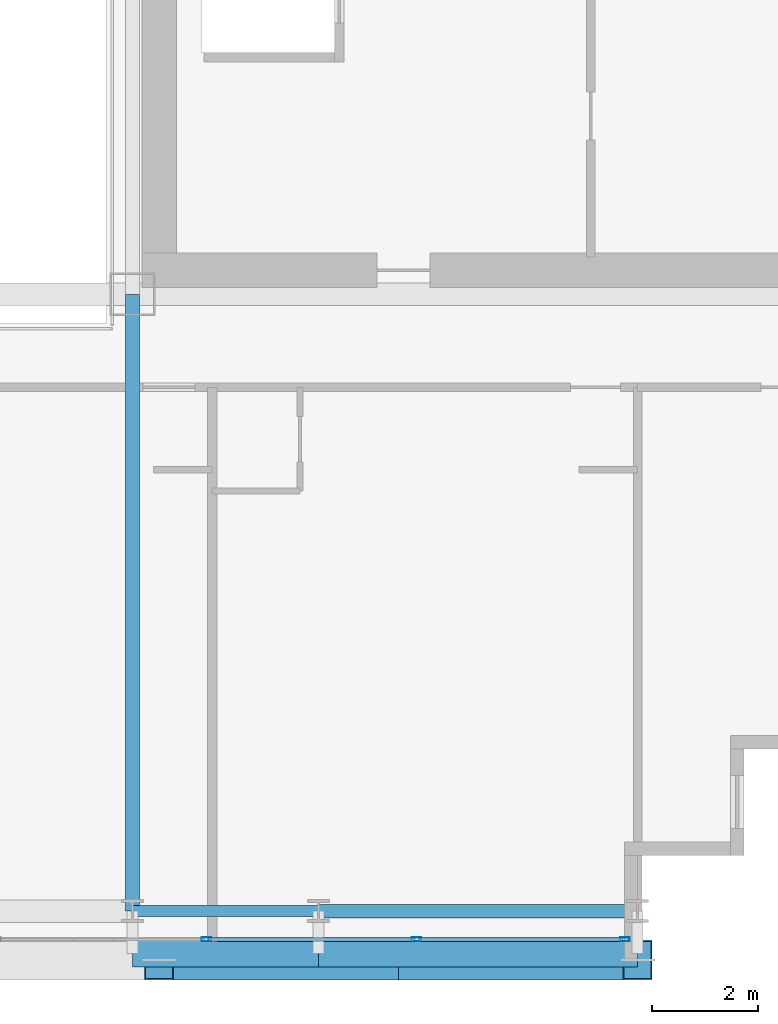
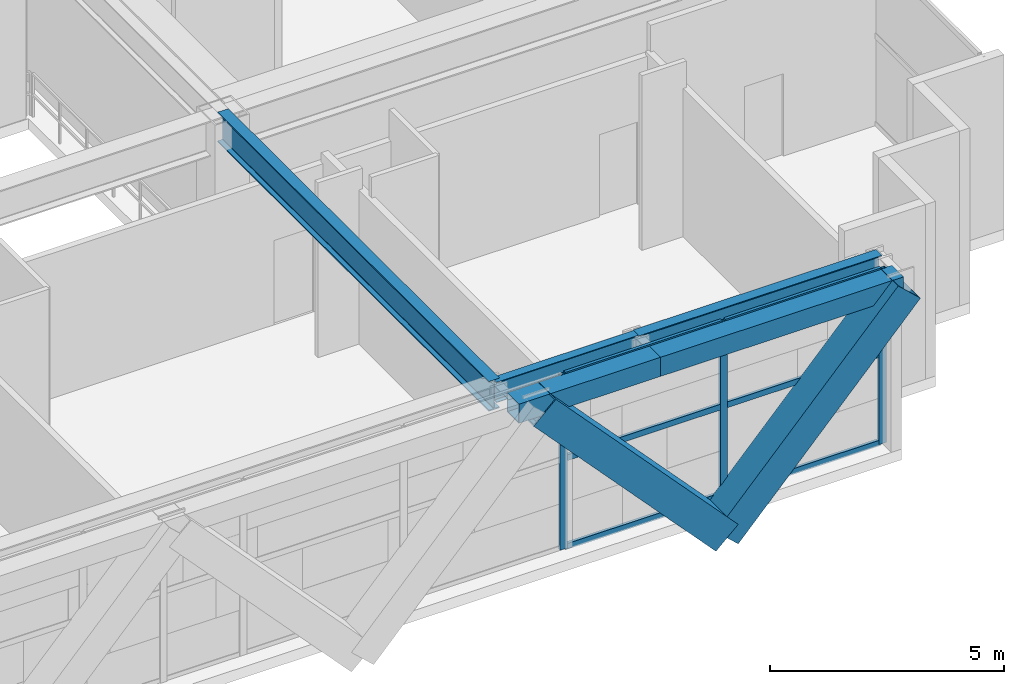
# One storey, part 11 of 38: 11 members, 5 beams, 1 element without a shape of its own.
"""IFC4 building model written with IfcOpenShell, lengths in metres."""

from ifc_helpers import new_model, si_unit, direction, frame, origin, origin_2d, place, context, subcontext, project, spatial, hollow_rectangle, i_section, extrude, source, transform, mapped, material, layer, layer_set, material_profile, profile_set, type_object, element, aggregate, save


model = new_model("IFC4")

# Units and contexts
model_context = context("Model", 3, precision=1e-05, world=origin(), true_north=direction((0.0, 1.0)))
body_context = subcontext(model_context, "Body", "Model", "MODEL_VIEW")
ifc_project = project(units=[si_unit("LENGTHUNIT", "METRE"), si_unit("AREAUNIT", "SQUARE_METRE"), si_unit("VOLUMEUNIT", "CUBIC_METRE"), si_unit("PLANEANGLEUNIT", "RADIAN"), si_unit("MASSUNIT", "GRAM", prefix="KILO")], contexts=[model_context])

# Site, building, storey
site_placement = place(None, origin())
site = spatial("IfcSite", under=ifc_project, at=site_placement, CompositionType="ELEMENT")
building_placement = place(site_placement, origin())
building = spatial("IfcBuilding", under=site, at=building_placement, Name="Ocotamira Hotel", CompositionType="ELEMENT")
storey_placement = place(building_placement, frame((0.0, 0.0, 92.39990234375)))
storey = spatial("IfcBuildingStorey", under=building, at=storey_placement, Name="L22", CompositionType="ELEMENT", Elevation=92.39990234375)

# Beams
ifc_material_1 = material(Name="Steel ASTM A992 Grade 50", Category="steel")
ifc_material_profile_1 = material_profile(ifc_material_1, i_section(OverallWidth=0.256103515625, OverallDepth=0.693115234375, WebThickness=0.014404296875, FlangeThickness=0.023681640625, FilletRadius=0.01611328125, at=origin_2d()), Name="W27X114")
ifc_profile_set_1 = profile_set([ifc_material_profile_1], Name="Steel ASTM A992 Grade 50")
beam_type_1 = type_object("IfcBeamType", Name="BM-PRIM-W27X114", PredefinedType="BEAM", material=ifc_profile_set_1)
shared_shape_1 = source(origin(), body_context, "Body", "SweptSolid", [
    extrude(i_section(OverallWidth=0.256103515625, OverallDepth=0.693115234375, WebThickness=0.014404296875, FlangeThickness=0.023681640625, FilletRadius=0.01611328125, at=origin_2d()), origin(), (0.0, 0.0, 1.0), 6.0),
])
beam_1_placement = place(storey_placement, frame((44.0, 2.949951171875, 4.213623046875), z_axis=(1.0, 0.0, 0.0), x_axis=(0.0, 1.0, 0.0)))
element("IfcBeam", 1, at=beam_1_placement, inside=storey, type_object=beam_type_1, Name="L22 Girder Y2.95 X44-50", PredefinedType="BEAM", context=body_context, shape_type="MappedRepresentation", body=[
    mapped(shared_shape_1, transform((0.0, 0.0, 0.0), scale=1.0)),
])
ifc_material_profile_2 = material_profile(ifc_material_1, i_section(OverallWidth=0.2099609375, OverallDepth=0.537109375, WebThickness=0.010986328125, FlangeThickness=0.017333984375, FilletRadius=0.012939453125, at=origin_2d()), Name="W21X68")
ifc_profile_set_2 = profile_set([ifc_material_profile_2], Name="Steel ASTM A992 Grade 50")
beam_type_2 = type_object("IfcBeamType", Name="BM-SEC-W21X68", PredefinedType="JOIST", material=ifc_profile_set_2)
shared_shape_2 = source(origin(), body_context, "Body", "SweptSolid", [
    extrude(i_section(OverallWidth=0.2099609375, OverallDepth=0.537109375, WebThickness=0.010986328125, FlangeThickness=0.017333984375, FilletRadius=0.012939453125, at=origin_2d()), origin(), (0.0, 0.0, 1.0), 3.5),
])
beam_2_placement = place(storey_placement, frame((40.5, 2.949951171875, 4.29150390625), z_axis=(1.0, 0.0, 0.0), x_axis=(0.0, 1.0, 0.0)))
element("IfcBeam", 2, at=beam_2_placement, inside=storey, type_object=beam_type_2, Name="L22 Girder Y2.95 X40.5-44", PredefinedType="JOIST", context=body_context, shape_type="MappedRepresentation", body=[
    mapped(shared_shape_2, transform((0.0, 0.0, 0.0), scale=1.0)),
])
ifc_material_profile_3 = material_profile(ifc_material_1, i_section(OverallWidth=0.26611328125, OverallDepth=0.779052734375, WebThickness=0.0166015625, FlangeThickness=0.030029296875, FilletRadius=0.01806640625, at=origin_2d()), Name="W30X148")
ifc_profile_set_3 = profile_set([ifc_material_profile_3], Name="Steel ASTM A992 Grade 50")
beam_type_3 = type_object("IfcBeamType", Name="BM-GIRD-W30X148", PredefinedType="BEAM", material=ifc_profile_set_3)
shared_shape_3 = source(origin(), body_context, "Body", "SweptSolid", [
    extrude(i_section(OverallWidth=0.26611328125, OverallDepth=0.779052734375, WebThickness=0.0166015625, FlangeThickness=0.030029296875, FilletRadius=0.01806640625, at=origin_2d()), origin(), (0.0, 0.0, 1.0), 11.60009765625),
])
beam_3_placement = place(storey_placement, frame((40.5, 2.949951171875, 4.170654296875), z_axis=(0.0, 1.0, 0.0), x_axis=(-1.0, 0.0, 0.0)))
element("IfcBeam", 3, at=beam_3_placement, inside=storey, type_object=beam_type_3, Name="L22 Beam X40.5 Y2.95-14.55", PredefinedType="BEAM", context=body_context, shape_type="MappedRepresentation", body=[
    mapped(shared_shape_3, transform((0.0, 0.0, 0.0), scale=1.0)),
])
ifc_material_2 = material(Name="Steel ASTM A500 Grade C", Category="steel")
ifc_material_profile_4 = material_profile(ifc_material_2, hollow_rectangle(XDim=0.5, YDim=0.5, WallThickness=0.02001953125, at=origin_2d()), Name="HSS500X500X20")
ifc_profile_set_4 = profile_set([ifc_material_profile_4], Name="Steel ASTM A500 Grade C")
beam_type_4 = type_object("IfcBeamType", Name="BM-SPAN-HSS500", PredefinedType="USERDEFINED", material=ifc_profile_set_4)
shared_shape_4 = source(origin(), body_context, "Body", "SweptSolid", [
    extrude(hollow_rectangle(XDim=0.5, YDim=0.5, WallThickness=0.02001953125, at=origin_2d()), origin(), (0.0, 0.0, 1.0), 6.0),
])
beam_4_placement = place(storey_placement, frame((44.0, 2.14990234375, 4.31005859375), z_axis=(1.0, 0.0, 0.0), x_axis=(0.0, 1.0, 0.0)))
element("IfcBeam", 4, at=beam_4_placement, inside=storey, type_object=beam_type_4, Name="L22 Edge Spandrel S X44-50", ObjectType="SPANDREL", PredefinedType="USERDEFINED", context=body_context, shape_type="MappedRepresentation", body=[
    mapped(shared_shape_4, transform((0.0, 0.0, 0.0), scale=1.0)),
])
shared_shape_5 = source(origin(), body_context, "Body", "SweptSolid", [
    extrude(hollow_rectangle(XDim=0.5, YDim=0.5, WallThickness=0.02001953125, at=origin_2d()), origin(), (0.0, 0.0, 1.0), 3.5),
])
beam_5_placement = place(storey_placement, frame((40.5, 2.14990234375, 4.31005859375), z_axis=(1.0, 0.0, 0.0), x_axis=(0.0, 1.0, 0.0)))
element("IfcBeam", 5, at=beam_5_placement, inside=storey, type_object=beam_type_4, Name="L22 Edge Spandrel S X40.5-44", ObjectType="SPANDREL", PredefinedType="USERDEFINED", context=body_context, shape_type="MappedRepresentation", body=[
    mapped(shared_shape_5, transform((0.0, 0.0, 0.0), scale=1.0)),
])

# Members
ifc_material_3 = material(Name="Pale-metal coated steel ASTM A913 Grade 65", Category="steel")
ifc_material_profile_5 = material_profile(ifc_material_3, hollow_rectangle(XDim=0.75, YDim=0.75, WallThickness=0.028076171875, at=origin_2d()), Name="BOX750X750X28")
ifc_profile_set_5 = profile_set([ifc_material_profile_5], Name="Pale-metal coated steel ASTM A913 Grade 65")
member_type_1 = type_object("IfcMemberType", Name="MEM-EXO-BOX750", PredefinedType="BRACE", material=ifc_profile_set_5)
shared_shape_6 = source(origin(), body_context, "Body", "SweptSolid", [
    extrude(hollow_rectangle(XDim=0.75, YDim=0.75, WallThickness=0.028076171875, at=origin_2d()), origin(), (0.0, 0.0, 1.0), 6.608642578125),
])
for number, where, z_axis, x_axis, name in (
    (6, (45.5, 2.030029296875, -0.52978515625), (-0.680927060572, 0.0, 0.732351239625), (0.0, -1.0, 0.0), "L22 Exoskeleton Diagrid S3.1"),
    (7, (45.5, 2.030029296875, -0.52978515625), (0.680927060572, 0.0, 0.732351239625), (0.0, 1.0, 0.0), "L22 Exoskeleton Diagrid S3.2"),
):
    element("IfcMember", number, at=place(storey_placement, frame(where, z_axis=z_axis, x_axis=x_axis)), inside=storey, type_object=member_type_1, Name=name, PredefinedType="BRACE", context=body_context, shape_type="MappedRepresentation", body=[
        mapped(shared_shape_6, transform((0.0, 0.0, 0.0), scale=1.0)),
    ])

# Curtain wall, members
ifc_material_4 = material(Name="Anodised pale-metal aluminium and solar glass", Category="aluminium")
ifc_layer = layer(ifc_material_4, 0.239990234375)
ifc_layer_set = layer_set([ifc_layer], Name="Anodised pale-metal aluminium and solar glass")
curtain_wall_type = type_object("IfcCurtainWallType", Name="CW-SYS5-SKY", PredefinedType="NOTDEFINED", material=ifc_layer_set)
curtain_wall_placement = place(storey_placement, origin())
curtain_wall = element("IfcCurtainWall", 8, at=curtain_wall_placement, inside=storey, type_object=curtain_wall_type, Name="L22 Curtain Wall CW-5 CW-L22-S1", PredefinedType="NOTDEFINED")
ifc_material_5 = material(Name="Anodised pale-metal aluminium 6063-T6", Category="aluminium")
ifc_material_profile_6 = material_profile(ifc_material_5, hollow_rectangle(XDim=0.074951171875, YDim=0.14990234375, WallThickness=0.006103515625, at=origin_2d()), Name="HSS150X75X6")
ifc_profile_set_6 = profile_set([ifc_material_profile_6], Name="Anodised pale-metal aluminium 6063-T6")
member_type_2 = type_object("IfcMemberType", Name="CWT-150X75", PredefinedType="USERDEFINED", material=ifc_profile_set_6)
shared_shape_7 = source(origin(), body_context, "Body", "SweptSolid", [
    extrude(hollow_rectangle(XDim=0.074951171875, YDim=0.14990234375, WallThickness=0.006103515625, at=origin_2d()), origin(), (0.0, 0.0, 1.0), 3.83544921875),
])
member_1_placement = place(storey_placement, frame((45.884521484375, 2.419921875, 0.03759765625), z_axis=(1.0, 0.0, 0.0), x_axis=(0.0, 1.0, 0.0)))
member_1 = element("IfcMember", 9, at=member_1_placement, type_object=member_type_2, Name="CW-5 transom 9.1", ObjectType="TRANSOM", PredefinedType="USERDEFINED", context=body_context, shape_type="MappedRepresentation", body=[
    mapped(shared_shape_7, transform((0.0, 0.0, 0.0), scale=1.0)),
])
member_2_placement = place(storey_placement, frame((45.884521484375, 2.419921875, 2.35009765625), z_axis=(1.0, 0.0, 0.0), x_axis=(0.0, 1.0, 0.0)))
member_2 = element("IfcMember", 10, at=member_2_placement, type_object=member_type_2, Name="CW-5 transom 9.2", ObjectType="TRANSOM", PredefinedType="USERDEFINED", context=body_context, shape_type="MappedRepresentation", body=[
    mapped(shared_shape_7, transform((0.0, 0.0, 0.0), scale=1.0)),
])
member_3_placement = place(storey_placement, frame((45.884521484375, 2.419921875, 4.522705078125), z_axis=(1.0, 0.0, 0.0), x_axis=(0.0, 1.0, 0.0)))
member_3 = element("IfcMember", 11, at=member_3_placement, type_object=member_type_2, Name="CW-5 transom 9.3", ObjectType="TRANSOM", PredefinedType="USERDEFINED", context=body_context, shape_type="MappedRepresentation", body=[
    mapped(shared_shape_7, transform((0.0, 0.0, 0.0), scale=1.0)),
])
shared_shape_8 = source(origin(), body_context, "Body", "SweptSolid", [
    extrude(hollow_rectangle(XDim=0.074951171875, YDim=0.14990234375, WallThickness=0.006103515625, at=origin_2d()), origin(), (0.0, 0.0, 1.0), 3.87548828125),
])
member_4_placement = place(storey_placement, frame((41.928955078125, 2.419921875, 0.03759765625), z_axis=(1.0, 0.0, 0.0), x_axis=(0.0, 1.0, 0.0)))
member_4 = element("IfcMember", 12, at=member_4_placement, type_object=member_type_2, Name="CW-5 transom 8.1", ObjectType="TRANSOM", PredefinedType="USERDEFINED", context=body_context, shape_type="MappedRepresentation", body=[
    mapped(shared_shape_8, transform((0.0, 0.0, 0.0), scale=1.0)),
])
member_5_placement = place(storey_placement, frame((41.928955078125, 2.419921875, 2.35009765625), z_axis=(1.0, 0.0, 0.0), x_axis=(0.0, 1.0, 0.0)))
member_5 = element("IfcMember", 13, at=member_5_placement, type_object=member_type_2, Name="CW-5 transom 8.2", ObjectType="TRANSOM", PredefinedType="USERDEFINED", context=body_context, shape_type="MappedRepresentation", body=[
    mapped(shared_shape_8, transform((0.0, 0.0, 0.0), scale=1.0)),
])
member_6_placement = place(storey_placement, frame((41.928955078125, 2.419921875, 4.522705078125), z_axis=(1.0, 0.0, 0.0), x_axis=(0.0, 1.0, 0.0)))
member_6 = element("IfcMember", 14, at=member_6_placement, type_object=member_type_2, Name="CW-5 transom 8.3", ObjectType="TRANSOM", PredefinedType="USERDEFINED", context=body_context, shape_type="MappedRepresentation", body=[
    mapped(shared_shape_8, transform((0.0, 0.0, 0.0), scale=1.0)),
])
ifc_material_profile_7 = material_profile(ifc_material_5, hollow_rectangle(XDim=0.080078125, YDim=0.179931640625, WallThickness=0.006103515625, at=origin_2d()), Name="HSS180X80X6")
ifc_profile_set_7 = profile_set([ifc_material_profile_7], Name="Anodised pale-metal aluminium 6063-T6")
member_type_3 = type_object("IfcMemberType", Name="CWM-180X75", PredefinedType="MULLION", material=ifc_profile_set_7)
shared_shape_9 = source(origin(), body_context, "Body", "SweptSolid", [
    extrude(hollow_rectangle(XDim=0.080078125, YDim=0.179931640625, WallThickness=0.006103515625, at=origin_2d()), origin(), (0.0, 0.0, 1.0), 4.56005859375),
])
member_7_placement = place(storey_placement, frame((41.888916015625, 2.419921875, 0.0), z_axis=(0.0, 0.0, 1.0), x_axis=(0.0, 1.0, 0.0)))
member_7 = element("IfcMember", 15, at=member_7_placement, type_object=member_type_3, Name="CW-5 mullion 8", PredefinedType="MULLION", context=body_context, shape_type="MappedRepresentation", body=[
    mapped(shared_shape_9, transform((0.0, 0.0, 0.0), scale=1.0)),
])
member_8_placement = place(storey_placement, frame((45.844482421875, 2.419921875, 0.0), z_axis=(0.0, 0.0, 1.0), x_axis=(0.0, 1.0, 0.0)))
member_8 = element("IfcMember", 16, at=member_8_placement, type_object=member_type_3, Name="CW-5 mullion 9", PredefinedType="MULLION", context=body_context, shape_type="MappedRepresentation", body=[
    mapped(shared_shape_9, transform((0.0, 0.0, 0.0), scale=1.0)),
])
member_9_placement = place(storey_placement, frame((49.760009765625, 2.419921875, 0.0), z_axis=(0.0, 0.0, 1.0), x_axis=(0.0, 1.0, 0.0)))
member_9 = element("IfcMember", 17, at=member_9_placement, type_object=member_type_3, Name="CW-5 mullion 10", PredefinedType="MULLION", context=body_context, shape_type="MappedRepresentation", body=[
    mapped(shared_shape_9, transform((0.0, 0.0, 0.0), scale=1.0)),
])
aggregate(curtain_wall, [member_7, member_8, member_9, member_4, member_5, member_6, member_1, member_2, member_3])

save(model, "model.ifc")
